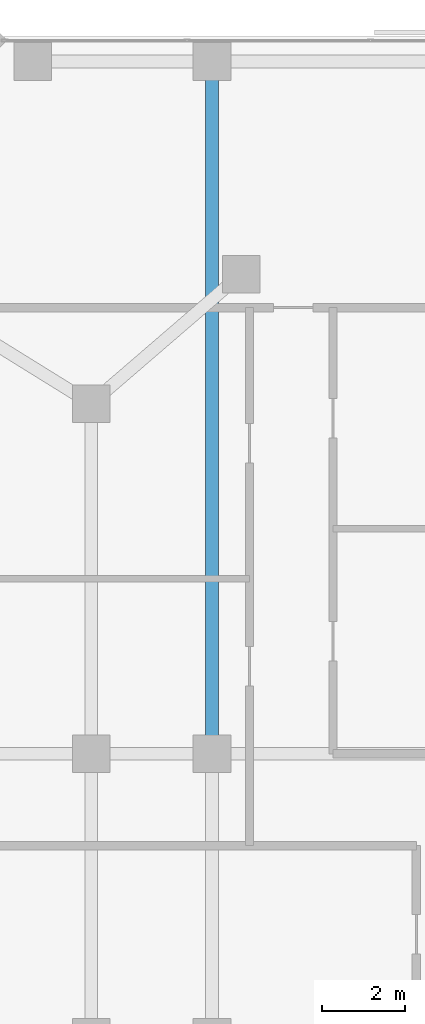
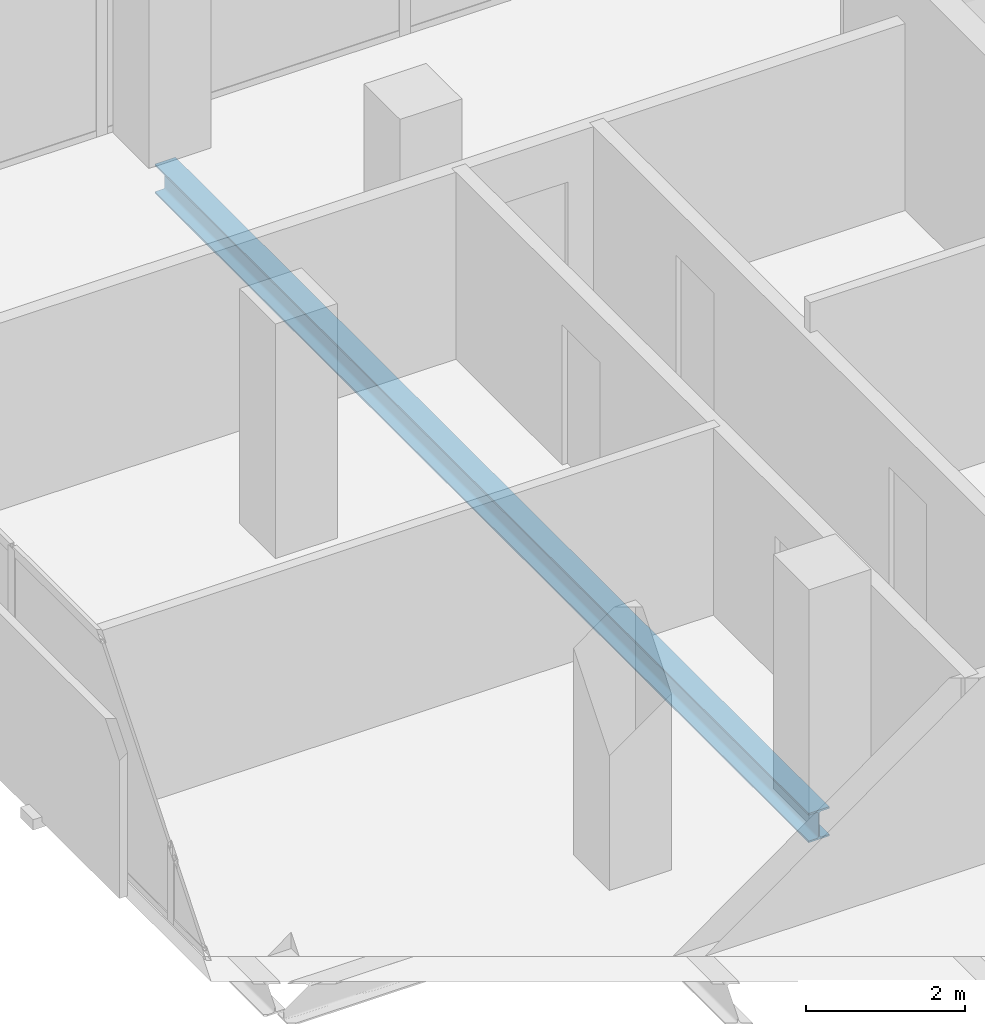
# One storey, part 18 of 33: 1 beam.
"""IFC4 building model written with IfcOpenShell, lengths in metres."""

from ifc_helpers import new_model, si_unit, direction, frame, origin, origin_2d, place, context, subcontext, project, spatial, i_section, extrude, material, material_profile, profile_set, type_object, element, save


model = new_model("IFC4")

# Units and contexts
model_context = context("Model", 3, precision=1e-05, world=origin(), true_north=direction((0.0, 1.0)))
body_context = subcontext(model_context, "Body", "Model", "MODEL_VIEW")
ifc_project = project(units=[si_unit("LENGTHUNIT", "METRE"), si_unit("AREAUNIT", "SQUARE_METRE"), si_unit("VOLUMEUNIT", "CUBIC_METRE"), si_unit("PLANEANGLEUNIT", "RADIAN"), si_unit("MASSUNIT", "GRAM", prefix="KILO")], contexts=[model_context])

# Site, building, storey
site_placement = place(None, origin())
site = spatial("IfcSite", under=ifc_project, at=site_placement, CompositionType="ELEMENT")
building_placement = place(site_placement, origin())
building = spatial("IfcBuilding", under=site, at=building_placement, Name="Catumbela Crestline Tower", CompositionType="ELEMENT")
storey_placement = place(building_placement, frame((0.0, 0.0, 104.4)))
storey = spatial("IfcBuildingStorey", under=building, at=storey_placement, Name="L26", CompositionType="ELEMENT", Elevation=104.4)

# Beam
ifc_material = material(Name="Structural steel S355J2", Category="steel")
ifc_material_profile = material_profile(ifc_material, i_section(OverallWidth=0.3, OverallDepth=0.45, WebThickness=0.014, FlangeThickness=0.026, FilletRadius=0.027, at=origin_2d()), Name="HEB 450")
ifc_profile_set = profile_set([ifc_material_profile], Name="Structural steel S355J2")
beam_type = type_object("IfcBeamType", Name="BG-HEB450", PredefinedType="BEAM", material=ifc_profile_set)
beam_placement = place(storey_placement, frame((8.5, 30.88, -0.485), z_axis=(0.0, 1.0, 0.0), x_axis=(-1.0, 0.0, 0.0)))
element("IfcBeam", 1, at=beam_placement, inside=storey, type_object=beam_type, Name="L26 Beam BM-L26-SN27", PredefinedType="BEAM", context=body_context, shape_type="SweptSolid", body=[
    extrude(i_section(OverallWidth=0.3, OverallDepth=0.45, WebThickness=0.014, FlangeThickness=0.026, FilletRadius=0.027, at=origin_2d()), origin(), (0.0, 0.0, 1.0), 16.44),
])

save(model, "model.ifc")
